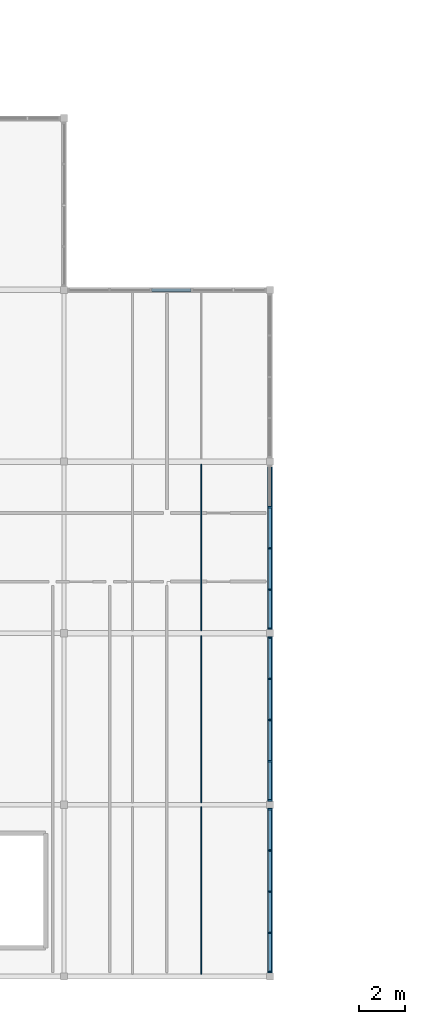
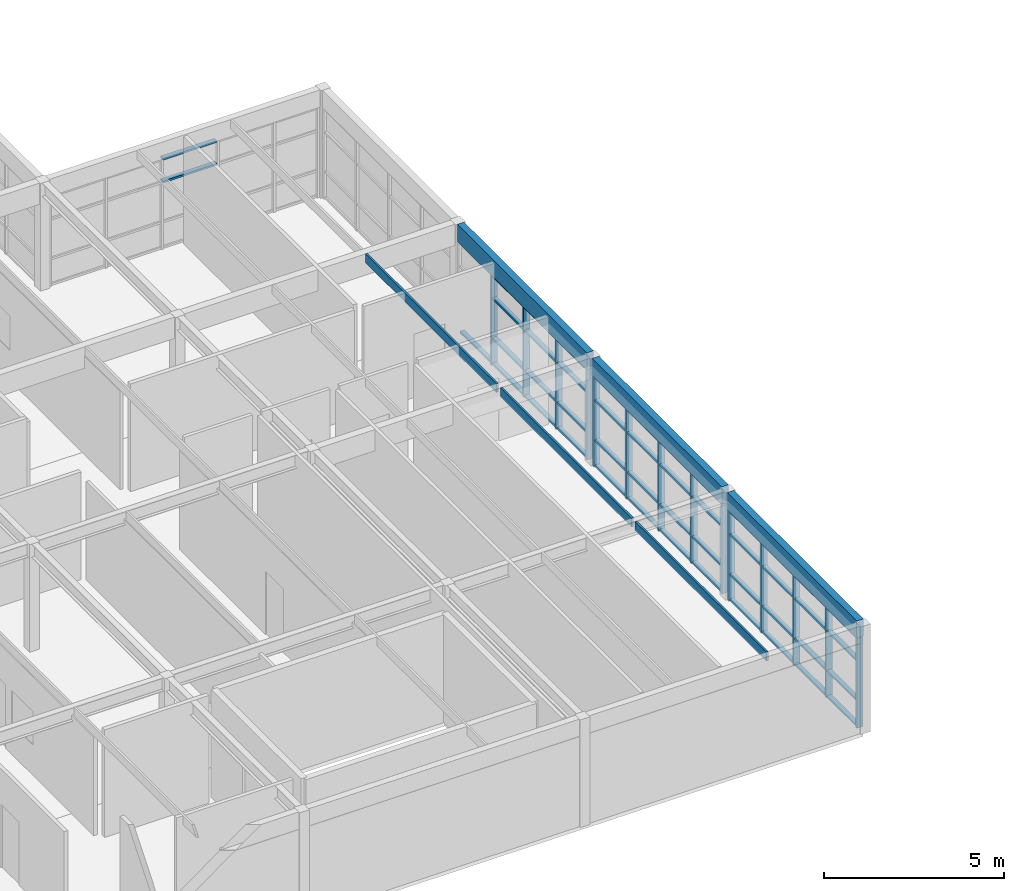
# One storey, part 5 of 24: 61 members, 6 beams, 4 elements without a shape of their own.
"""IFC4 building model written with IfcOpenShell, lengths in metres."""

from ifc_helpers import new_model, si_unit, direction, frame, origin, origin_2d, place, context, subcontext, project, spatial, rectangle, extrude, material, layer, layer_set, material_profile, profile_set, type_object, element, aggregate, save


model = new_model("IFC4")

# Units and contexts
model_context = context("Model", 3, precision=1e-05, world=origin(), true_north=direction((0.0, 1.0)))
body_context = subcontext(model_context, "Body", "Model", "MODEL_VIEW")
ifc_project = project(units=[si_unit("LENGTHUNIT", "METRE"), si_unit("AREAUNIT", "SQUARE_METRE"), si_unit("VOLUMEUNIT", "CUBIC_METRE"), si_unit("PLANEANGLEUNIT", "RADIAN"), si_unit("MASSUNIT", "GRAM", prefix="KILO")], contexts=[model_context])

# Site, building, storey
site_placement = place(None, origin())
site = spatial("IfcSite", under=ifc_project, at=site_placement, CompositionType="ELEMENT")
building_placement = place(site_placement, origin())
building = spatial("IfcBuilding", under=site, at=building_placement, Name="Marnridge Secondary College", CompositionType="ELEMENT")
storey_placement = place(building_placement, frame((0.0, 0.0, 16.10009765625)))
storey = spatial("IfcBuildingStorey", under=building, at=storey_placement, Name="L04", CompositionType="ELEMENT", Elevation=16.10009765625)

# Beams
ifc_material_1 = material(Name="Glulam timber GL18", Category="wood")
ifc_material_profile_1 = material_profile(ifc_material_1, rectangle(XDim=0.215087890625, YDim=0.5849609375, at=origin_2d()), Name="GL18 215x585")
ifc_profile_set_1 = profile_set([ifc_material_profile_1], Name="Glulam timber GL18")
beam_type_1 = type_object("IfcBeamType", Name="BM-GL585-EXT", PredefinedType="SPANDREL", material=ifc_profile_set_1)
for number, where, z_axis, x_axis, name in (
    (1, (36.0, 0.151611328125, 3.357421875), (0.0, 1.0, 0.0), (-1.0, 0.0, 0.0), "Beam BRF-L04-1416"),
    (2, (36.0, 7.651611328125, 3.357421875), (0.0, 1.0, 0.0), (-1.0, 0.0, 0.0), "Beam BRF-L04-1418"),
    (3, (36.0, 15.151611328125, 3.357421875), (0.0, 1.0, 0.0), (-1.0, 0.0, 0.0), "Beam BRF-L04-1420"),
):
    element("IfcBeam", number, at=place(storey_placement, frame(where, z_axis=z_axis, x_axis=x_axis)), inside=storey, type_object=beam_type_1, Name=name, PredefinedType="SPANDREL", context=body_context, shape_type="SweptSolid", body=[
        extrude(rectangle(XDim=0.215087890625, YDim=0.5849609375, at=origin_2d()), origin(), (0.0, 0.0, 1.0), 7.19677734375),
    ])
ifc_material_2 = material(Name="Engineered timber LVL E13.2", Category="wood")
ifc_material_profile_2 = material_profile(ifc_material_2, rectangle(XDim=0.06298828125, YDim=0.300048828125, at=origin_2d()), Name="LVL 63x300")
ifc_profile_set_2 = profile_set([ifc_material_profile_2], Name="Engineered timber LVL E13.2")
beam_type_2 = type_object("IfcBeamType", Name="BM-LVL300-INT", PredefinedType="JOIST", material=ifc_profile_set_2)
beam_1_placement = place(storey_placement, frame((33.0, 0.1015625, 3.5), z_axis=(0.0, 1.0, 0.0), x_axis=(-1.0, 0.0, 0.0)))
element("IfcBeam", 4, at=beam_1_placement, inside=storey, type_object=beam_type_2, Name="Beam BJ-L04-1449", PredefinedType="JOIST", context=body_context, shape_type="SweptSolid", body=[
    extrude(rectangle(XDim=0.06298828125, YDim=0.300048828125, at=origin_2d()), origin(), (0.0, 0.0, 1.0), 7.309326171875),
])
beam_2_placement = place(storey_placement, frame((33.0, 7.589111328125, 3.5), z_axis=(0.0, 1.0, 0.0), x_axis=(-1.0, 0.0, 0.0)))
element("IfcBeam", 5, at=beam_2_placement, inside=storey, type_object=beam_type_2, Name="Beam BJ-L04-1451", PredefinedType="JOIST", context=body_context, shape_type="SweptSolid", body=[
    extrude(rectangle(XDim=0.06298828125, YDim=0.300048828125, at=origin_2d()), origin(), (0.0, 0.0, 1.0), 7.296875),
])
beam_3_placement = place(storey_placement, frame((33.0, 15.114013671875, 3.5), z_axis=(0.0, 1.0, 0.0), x_axis=(-1.0, 0.0, 0.0)))
element("IfcBeam", 6, at=beam_3_placement, inside=storey, type_object=beam_type_2, Name="Beam BJ-L04-1453", PredefinedType="JOIST", context=body_context, shape_type="SweptSolid", body=[
    extrude(rectangle(XDim=0.06298828125, YDim=0.300048828125, at=origin_2d()), origin(), (0.0, 0.0, 1.0), 7.27197265625),
])

# Curtain wall, members
ifc_material_3 = material(Name="Bronze-anodised aluminium and solar-control glazing", Category="aluminium")
ifc_layer = layer(ifc_material_3, 0.199951171875)
ifc_layer_set = layer_set([ifc_layer], Name="CW-MOD-1800")
curtain_wall_type = type_object("IfcCurtainWallType", Name="CW-MOD-1800", PredefinedType="NOTDEFINED", material=ifc_layer_set)
curtain_wall_1_placement = place(storey_placement, origin())
curtain_wall_1 = element("IfcCurtainWall", 7, at=curtain_wall_1_placement, inside=storey, type_object=curtain_wall_type, Name="Unitised curtain wall CW-L04-146", PredefinedType="NOTDEFINED")
ifc_material_4 = material(Name="Bronze-anodised aluminium 6063-T6", Category="aluminium")
ifc_material_profile_3 = material_profile(ifc_material_4, rectangle(XDim=0.070068359375, YDim=0.199951171875, at=origin_2d()), Name="ALU 70x200")
ifc_profile_set_3 = profile_set([ifc_material_profile_3], Name="Bronze-anodised aluminium 6063-T6")
member_type_1 = type_object("IfcMemberType", Name="CWM-ALU200", PredefinedType="MULLION", material=ifc_profile_set_3)
member_1_placement = place(storey_placement, frame((36.0, 20.50341796875, 0.0), z_axis=(0.0, 0.0, 1.0), x_axis=(0.0, -1.0, 0.0)))
member_1 = element("IfcMember", 8, at=member_1_placement, type_object=member_type_1, Name="CW-L04-146 mullion 2", PredefinedType="MULLION", context=body_context, shape_type="SweptSolid", body=[
    extrude(rectangle(XDim=0.070068359375, YDim=0.199951171875, at=origin_2d()), origin(), (0.0, 0.0, 1.0), 3.056884765625),
])
member_2_placement = place(storey_placement, frame((36.0, 18.70361328125, 0.0), z_axis=(0.0, 0.0, 1.0), x_axis=(0.0, -1.0, 0.0)))
member_2 = element("IfcMember", 9, at=member_2_placement, type_object=member_type_1, Name="CW-L04-146 mullion 3", PredefinedType="MULLION", context=body_context, shape_type="SweptSolid", body=[
    extrude(rectangle(XDim=0.070068359375, YDim=0.199951171875, at=origin_2d()), origin(), (0.0, 0.0, 1.0), 3.056884765625),
])
member_3_placement = place(storey_placement, frame((36.0, 16.903564453125, 0.0), z_axis=(0.0, 0.0, 1.0), x_axis=(0.0, -1.0, 0.0)))
member_3 = element("IfcMember", 10, at=member_3_placement, type_object=member_type_1, Name="CW-L04-146 mullion 4", PredefinedType="MULLION", context=body_context, shape_type="SweptSolid", body=[
    extrude(rectangle(XDim=0.070068359375, YDim=0.199951171875, at=origin_2d()), origin(), (0.0, 0.0, 1.0), 3.056884765625),
])
member_4_placement = place(storey_placement, frame((36.0, 15.196533203125, 0.0), z_axis=(0.0, 0.0, 1.0), x_axis=(0.0, -1.0, 0.0)))
member_4 = element("IfcMember", 11, at=member_4_placement, type_object=member_type_1, Name="CW-L04-146 mullion 5", PredefinedType="MULLION", context=body_context, shape_type="SweptSolid", body=[
    extrude(rectangle(XDim=0.070068359375, YDim=0.199951171875, at=origin_2d()), origin(), (0.0, 0.0, 1.0), 3.056884765625),
])

curtain_wall_2_placement = place(storey_placement, origin())
curtain_wall_2 = element("IfcCurtainWall", 12, at=curtain_wall_2_placement, inside=storey, type_object=curtain_wall_type, Name="Unitised curtain wall CW-L04-147", PredefinedType="NOTDEFINED")
member_5_placement = place(storey_placement, frame((36.0, 14.803466796875, 0.0), z_axis=(0.0, 0.0, 1.0), x_axis=(0.0, -1.0, 0.0)))
member_5 = element("IfcMember", 13, at=member_5_placement, type_object=member_type_1, Name="CW-L04-147 mullion 1", PredefinedType="MULLION", context=body_context, shape_type="SweptSolid", body=[
    extrude(rectangle(XDim=0.070068359375, YDim=0.199951171875, at=origin_2d()), origin(), (0.0, 0.0, 1.0), 3.056884765625),
])
member_6_placement = place(storey_placement, frame((36.0, 13.00341796875, 0.0), z_axis=(0.0, 0.0, 1.0), x_axis=(0.0, -1.0, 0.0)))
member_6 = element("IfcMember", 14, at=member_6_placement, type_object=member_type_1, Name="CW-L04-147 mullion 2", PredefinedType="MULLION", context=body_context, shape_type="SweptSolid", body=[
    extrude(rectangle(XDim=0.070068359375, YDim=0.199951171875, at=origin_2d()), origin(), (0.0, 0.0, 1.0), 3.056884765625),
])
member_7_placement = place(storey_placement, frame((36.0, 11.20361328125, 0.0), z_axis=(0.0, 0.0, 1.0), x_axis=(0.0, -1.0, 0.0)))
member_7 = element("IfcMember", 15, at=member_7_placement, type_object=member_type_1, Name="CW-L04-147 mullion 3", PredefinedType="MULLION", context=body_context, shape_type="SweptSolid", body=[
    extrude(rectangle(XDim=0.070068359375, YDim=0.199951171875, at=origin_2d()), origin(), (0.0, 0.0, 1.0), 3.056884765625),
])
member_8_placement = place(storey_placement, frame((36.0, 9.403564453125, 0.0), z_axis=(0.0, 0.0, 1.0), x_axis=(0.0, -1.0, 0.0)))
member_8 = element("IfcMember", 16, at=member_8_placement, type_object=member_type_1, Name="CW-L04-147 mullion 4", PredefinedType="MULLION", context=body_context, shape_type="SweptSolid", body=[
    extrude(rectangle(XDim=0.070068359375, YDim=0.199951171875, at=origin_2d()), origin(), (0.0, 0.0, 1.0), 3.056884765625),
])
member_9_placement = place(storey_placement, frame((36.0, 7.696533203125, 0.0), z_axis=(0.0, 0.0, 1.0), x_axis=(0.0, -1.0, 0.0)))
member_9 = element("IfcMember", 17, at=member_9_placement, type_object=member_type_1, Name="CW-L04-147 mullion 5", PredefinedType="MULLION", context=body_context, shape_type="SweptSolid", body=[
    extrude(rectangle(XDim=0.070068359375, YDim=0.199951171875, at=origin_2d()), origin(), (0.0, 0.0, 1.0), 3.056884765625),
])

curtain_wall_3_placement = place(storey_placement, origin())
curtain_wall_3 = element("IfcCurtainWall", 18, at=curtain_wall_3_placement, inside=storey, type_object=curtain_wall_type, Name="Unitised curtain wall CW-L04-148", PredefinedType="NOTDEFINED")
member_10_placement = place(storey_placement, frame((36.0, 7.303466796875, 0.0), z_axis=(0.0, 0.0, 1.0), x_axis=(0.0, -1.0, 0.0)))
member_10 = element("IfcMember", 19, at=member_10_placement, type_object=member_type_1, Name="CW-L04-148 mullion 1", PredefinedType="MULLION", context=body_context, shape_type="SweptSolid", body=[
    extrude(rectangle(XDim=0.070068359375, YDim=0.199951171875, at=origin_2d()), origin(), (0.0, 0.0, 1.0), 3.056884765625),
])
member_11_placement = place(storey_placement, frame((36.0, 5.50341796875, 0.0), z_axis=(0.0, 0.0, 1.0), x_axis=(0.0, -1.0, 0.0)))
member_11 = element("IfcMember", 20, at=member_11_placement, type_object=member_type_1, Name="CW-L04-148 mullion 2", PredefinedType="MULLION", context=body_context, shape_type="SweptSolid", body=[
    extrude(rectangle(XDim=0.070068359375, YDim=0.199951171875, at=origin_2d()), origin(), (0.0, 0.0, 1.0), 3.056884765625),
])
member_12_placement = place(storey_placement, frame((36.0, 3.70361328125, 0.0), z_axis=(0.0, 0.0, 1.0), x_axis=(0.0, -1.0, 0.0)))
member_12 = element("IfcMember", 21, at=member_12_placement, type_object=member_type_1, Name="CW-L04-148 mullion 3", PredefinedType="MULLION", context=body_context, shape_type="SweptSolid", body=[
    extrude(rectangle(XDim=0.070068359375, YDim=0.199951171875, at=origin_2d()), origin(), (0.0, 0.0, 1.0), 3.056884765625),
])
member_13_placement = place(storey_placement, frame((36.0, 1.903564453125, 0.0), z_axis=(0.0, 0.0, 1.0), x_axis=(0.0, -1.0, 0.0)))
member_13 = element("IfcMember", 22, at=member_13_placement, type_object=member_type_1, Name="CW-L04-148 mullion 4", PredefinedType="MULLION", context=body_context, shape_type="SweptSolid", body=[
    extrude(rectangle(XDim=0.070068359375, YDim=0.199951171875, at=origin_2d()), origin(), (0.0, 0.0, 1.0), 3.056884765625),
])
member_14_placement = place(storey_placement, frame((36.0, 0.196533203125, 0.0), z_axis=(0.0, 0.0, 1.0), x_axis=(0.0, -1.0, 0.0)))
member_14 = element("IfcMember", 23, at=member_14_placement, type_object=member_type_1, Name="CW-L04-148 mullion 5", PredefinedType="MULLION", context=body_context, shape_type="SweptSolid", body=[
    extrude(rectangle(XDim=0.070068359375, YDim=0.199951171875, at=origin_2d()), origin(), (0.0, 0.0, 1.0), 3.056884765625),
])

curtain_wall_4_placement = place(storey_placement, origin())
curtain_wall_4 = element("IfcCurtainWall", 24, at=curtain_wall_4_placement, inside=storey, type_object=curtain_wall_type, Name="Unitised curtain wall CW-L04-144", PredefinedType="NOTDEFINED")
ifc_material_5 = material(Name="Anodised aluminium 6063-T6", Category="aluminium")
ifc_material_profile_4 = material_profile(ifc_material_5, rectangle(XDim=0.06494140625, YDim=0.139892578125, at=origin_2d()), Name="ALU 65x140")
ifc_profile_set_4 = profile_set([ifc_material_profile_4], Name="Anodised aluminium 6063-T6")
member_type_2 = type_object("IfcMemberType", Name="CWT-ALU140", PredefinedType="USERDEFINED", material=ifc_profile_set_4)
member_15_placement = place(storey_placement, frame((30.83154296875, 30.0, 2.25), z_axis=(1.0, 0.0, 0.0), x_axis=(0.0, 0.0, 1.0)))
member_15 = element("IfcMember", 25, at=member_15_placement, type_object=member_type_2, Name="CW-L04-144 transom 3.3", ObjectType="TRANSOM", PredefinedType="USERDEFINED", context=body_context, shape_type="SweptSolid", body=[
    extrude(rectangle(XDim=0.06494140625, YDim=0.139892578125, at=origin_2d()), origin(), (0.0, 0.0, 1.0), 1.72998046875),
])
member_16_placement = place(storey_placement, frame((30.83154296875, 30.0, 3.0244140625), z_axis=(1.0, 0.0, 0.0), x_axis=(0.0, 0.0, 1.0)))
member_16 = element("IfcMember", 26, at=member_16_placement, type_object=member_type_2, Name="CW-L04-144 transom 3.4", ObjectType="TRANSOM", PredefinedType="USERDEFINED", context=body_context, shape_type="SweptSolid", body=[
    extrude(rectangle(XDim=0.06494140625, YDim=0.139892578125, at=origin_2d()), origin(), (0.0, 0.0, 1.0), 1.72998046875),
])
aggregate(curtain_wall_4, [member_15, member_16])

# Member
member_17_placement = place(storey_placement, frame((36.0, 22.2685546875, 0.032470703125), z_axis=(0.0, -1.0, 0.0), x_axis=(0.0, 0.0, 1.0)))
member_17 = element("IfcMember", 27, at=member_17_placement, type_object=member_type_2, Name="CW-L04-146 transom 1.1", ObjectType="TRANSOM", PredefinedType="USERDEFINED", context=body_context, shape_type="SweptSolid", body=[
    extrude(rectangle(XDim=0.06494140625, YDim=0.139892578125, at=origin_2d()), origin(), (0.0, 0.0, 1.0), 1.72998046875),
])

member_18_placement = place(storey_placement, frame((36.0, 20.468505859375, 0.032470703125), z_axis=(0.0, -1.0, 0.0), x_axis=(0.0, 0.0, 1.0)))
member_18 = element("IfcMember", 28, at=member_18_placement, type_object=member_type_2, Name="CW-L04-146 transom 2.1", ObjectType="TRANSOM", PredefinedType="USERDEFINED", context=body_context, shape_type="SweptSolid", body=[
    extrude(rectangle(XDim=0.06494140625, YDim=0.139892578125, at=origin_2d()), origin(), (0.0, 0.0, 1.0), 1.72998046875),
])

member_19_placement = place(storey_placement, frame((36.0, 20.468505859375, 0.89990234375), z_axis=(0.0, -1.0, 0.0), x_axis=(0.0, 0.0, 1.0)))
member_19 = element("IfcMember", 29, at=member_19_placement, type_object=member_type_2, Name="CW-L04-146 transom 2.2", ObjectType="TRANSOM", PredefinedType="USERDEFINED", context=body_context, shape_type="SweptSolid", body=[
    extrude(rectangle(XDim=0.06494140625, YDim=0.139892578125, at=origin_2d()), origin(), (0.0, 0.0, 1.0), 1.72998046875),
])

member_20_placement = place(storey_placement, frame((36.0, 20.468505859375, 2.25), z_axis=(0.0, -1.0, 0.0), x_axis=(0.0, 0.0, 1.0)))
member_20 = element("IfcMember", 30, at=member_20_placement, type_object=member_type_2, Name="CW-L04-146 transom 2.3", ObjectType="TRANSOM", PredefinedType="USERDEFINED", context=body_context, shape_type="SweptSolid", body=[
    extrude(rectangle(XDim=0.06494140625, YDim=0.139892578125, at=origin_2d()), origin(), (0.0, 0.0, 1.0), 1.72998046875),
])

member_21_placement = place(storey_placement, frame((36.0, 20.468505859375, 3.0244140625), z_axis=(0.0, -1.0, 0.0), x_axis=(0.0, 0.0, 1.0)))
member_21 = element("IfcMember", 31, at=member_21_placement, type_object=member_type_2, Name="CW-L04-146 transom 2.4", ObjectType="TRANSOM", PredefinedType="USERDEFINED", context=body_context, shape_type="SweptSolid", body=[
    extrude(rectangle(XDim=0.06494140625, YDim=0.139892578125, at=origin_2d()), origin(), (0.0, 0.0, 1.0), 1.72998046875),
])

member_22_placement = place(storey_placement, frame((36.0, 18.66845703125, 0.032470703125), z_axis=(0.0, -1.0, 0.0), x_axis=(0.0, 0.0, 1.0)))
member_22 = element("IfcMember", 32, at=member_22_placement, type_object=member_type_2, Name="CW-L04-146 transom 3.1", ObjectType="TRANSOM", PredefinedType="USERDEFINED", context=body_context, shape_type="SweptSolid", body=[
    extrude(rectangle(XDim=0.06494140625, YDim=0.139892578125, at=origin_2d()), origin(), (0.0, 0.0, 1.0), 1.72998046875),
])

member_23_placement = place(storey_placement, frame((36.0, 18.66845703125, 0.89990234375), z_axis=(0.0, -1.0, 0.0), x_axis=(0.0, 0.0, 1.0)))
member_23 = element("IfcMember", 33, at=member_23_placement, type_object=member_type_2, Name="CW-L04-146 transom 3.2", ObjectType="TRANSOM", PredefinedType="USERDEFINED", context=body_context, shape_type="SweptSolid", body=[
    extrude(rectangle(XDim=0.06494140625, YDim=0.139892578125, at=origin_2d()), origin(), (0.0, 0.0, 1.0), 1.72998046875),
])

member_24_placement = place(storey_placement, frame((36.0, 18.66845703125, 2.25), z_axis=(0.0, -1.0, 0.0), x_axis=(0.0, 0.0, 1.0)))
member_24 = element("IfcMember", 34, at=member_24_placement, type_object=member_type_2, Name="CW-L04-146 transom 3.3", ObjectType="TRANSOM", PredefinedType="USERDEFINED", context=body_context, shape_type="SweptSolid", body=[
    extrude(rectangle(XDim=0.06494140625, YDim=0.139892578125, at=origin_2d()), origin(), (0.0, 0.0, 1.0), 1.72998046875),
])

member_25_placement = place(storey_placement, frame((36.0, 18.66845703125, 3.0244140625), z_axis=(0.0, -1.0, 0.0), x_axis=(0.0, 0.0, 1.0)))
member_25 = element("IfcMember", 35, at=member_25_placement, type_object=member_type_2, Name="CW-L04-146 transom 3.4", ObjectType="TRANSOM", PredefinedType="USERDEFINED", context=body_context, shape_type="SweptSolid", body=[
    extrude(rectangle(XDim=0.06494140625, YDim=0.139892578125, at=origin_2d()), origin(), (0.0, 0.0, 1.0), 1.72998046875),
])

member_26_placement = place(storey_placement, frame((36.0, 16.868408203125, 0.032470703125), z_axis=(0.0, -1.0, 0.0), x_axis=(0.0, 0.0, 1.0)))
member_26 = element("IfcMember", 36, at=member_26_placement, type_object=member_type_2, Name="CW-L04-146 transom 4.1", ObjectType="TRANSOM", PredefinedType="USERDEFINED", context=body_context, shape_type="SweptSolid", body=[
    extrude(rectangle(XDim=0.06494140625, YDim=0.139892578125, at=origin_2d()), origin(), (0.0, 0.0, 1.0), 1.636962890625),
])

member_27_placement = place(storey_placement, frame((36.0, 16.868408203125, 0.89990234375), z_axis=(0.0, -1.0, 0.0), x_axis=(0.0, 0.0, 1.0)))
member_27 = element("IfcMember", 37, at=member_27_placement, type_object=member_type_2, Name="CW-L04-146 transom 4.2", ObjectType="TRANSOM", PredefinedType="USERDEFINED", context=body_context, shape_type="SweptSolid", body=[
    extrude(rectangle(XDim=0.06494140625, YDim=0.139892578125, at=origin_2d()), origin(), (0.0, 0.0, 1.0), 1.636962890625),
])

member_28_placement = place(storey_placement, frame((36.0, 16.868408203125, 2.25), z_axis=(0.0, -1.0, 0.0), x_axis=(0.0, 0.0, 1.0)))
member_28 = element("IfcMember", 38, at=member_28_placement, type_object=member_type_2, Name="CW-L04-146 transom 4.3", ObjectType="TRANSOM", PredefinedType="USERDEFINED", context=body_context, shape_type="SweptSolid", body=[
    extrude(rectangle(XDim=0.06494140625, YDim=0.139892578125, at=origin_2d()), origin(), (0.0, 0.0, 1.0), 1.636962890625),
])

member_29_placement = place(storey_placement, frame((36.0, 16.868408203125, 3.0244140625), z_axis=(0.0, -1.0, 0.0), x_axis=(0.0, 0.0, 1.0)))
member_29 = element("IfcMember", 39, at=member_29_placement, type_object=member_type_2, Name="CW-L04-146 transom 4.4", ObjectType="TRANSOM", PredefinedType="USERDEFINED", context=body_context, shape_type="SweptSolid", body=[
    extrude(rectangle(XDim=0.06494140625, YDim=0.139892578125, at=origin_2d()), origin(), (0.0, 0.0, 1.0), 1.636962890625),
])

aggregate(curtain_wall_1, [member_1, member_2, member_3, member_4, member_17, member_18, member_19, member_20, member_21, member_22, member_23, member_24, member_25, member_26, member_27, member_28, member_29])

member_30_placement = place(storey_placement, frame((36.0, 14.7685546875, 0.032470703125), z_axis=(0.0, -1.0, 0.0), x_axis=(0.0, 0.0, 1.0)))
member_30 = element("IfcMember", 40, at=member_30_placement, type_object=member_type_2, Name="CW-L04-147 transom 1.1", ObjectType="TRANSOM", PredefinedType="USERDEFINED", context=body_context, shape_type="SweptSolid", body=[
    extrude(rectangle(XDim=0.06494140625, YDim=0.139892578125, at=origin_2d()), origin(), (0.0, 0.0, 1.0), 1.72998046875),
])

member_31_placement = place(storey_placement, frame((36.0, 14.7685546875, 0.89990234375), z_axis=(0.0, -1.0, 0.0), x_axis=(0.0, 0.0, 1.0)))
member_31 = element("IfcMember", 41, at=member_31_placement, type_object=member_type_2, Name="CW-L04-147 transom 1.2", ObjectType="TRANSOM", PredefinedType="USERDEFINED", context=body_context, shape_type="SweptSolid", body=[
    extrude(rectangle(XDim=0.06494140625, YDim=0.139892578125, at=origin_2d()), origin(), (0.0, 0.0, 1.0), 1.72998046875),
])

member_32_placement = place(storey_placement, frame((36.0, 14.7685546875, 2.25), z_axis=(0.0, -1.0, 0.0), x_axis=(0.0, 0.0, 1.0)))
member_32 = element("IfcMember", 42, at=member_32_placement, type_object=member_type_2, Name="CW-L04-147 transom 1.3", ObjectType="TRANSOM", PredefinedType="USERDEFINED", context=body_context, shape_type="SweptSolid", body=[
    extrude(rectangle(XDim=0.06494140625, YDim=0.139892578125, at=origin_2d()), origin(), (0.0, 0.0, 1.0), 1.72998046875),
])

member_33_placement = place(storey_placement, frame((36.0, 14.7685546875, 3.0244140625), z_axis=(0.0, -1.0, 0.0), x_axis=(0.0, 0.0, 1.0)))
member_33 = element("IfcMember", 43, at=member_33_placement, type_object=member_type_2, Name="CW-L04-147 transom 1.4", ObjectType="TRANSOM", PredefinedType="USERDEFINED", context=body_context, shape_type="SweptSolid", body=[
    extrude(rectangle(XDim=0.06494140625, YDim=0.139892578125, at=origin_2d()), origin(), (0.0, 0.0, 1.0), 1.72998046875),
])

member_34_placement = place(storey_placement, frame((36.0, 12.968505859375, 0.032470703125), z_axis=(0.0, -1.0, 0.0), x_axis=(0.0, 0.0, 1.0)))
member_34 = element("IfcMember", 44, at=member_34_placement, type_object=member_type_2, Name="CW-L04-147 transom 2.1", ObjectType="TRANSOM", PredefinedType="USERDEFINED", context=body_context, shape_type="SweptSolid", body=[
    extrude(rectangle(XDim=0.06494140625, YDim=0.139892578125, at=origin_2d()), origin(), (0.0, 0.0, 1.0), 1.72998046875),
])

member_35_placement = place(storey_placement, frame((36.0, 12.968505859375, 0.89990234375), z_axis=(0.0, -1.0, 0.0), x_axis=(0.0, 0.0, 1.0)))
member_35 = element("IfcMember", 45, at=member_35_placement, type_object=member_type_2, Name="CW-L04-147 transom 2.2", ObjectType="TRANSOM", PredefinedType="USERDEFINED", context=body_context, shape_type="SweptSolid", body=[
    extrude(rectangle(XDim=0.06494140625, YDim=0.139892578125, at=origin_2d()), origin(), (0.0, 0.0, 1.0), 1.72998046875),
])

member_36_placement = place(storey_placement, frame((36.0, 12.968505859375, 2.25), z_axis=(0.0, -1.0, 0.0), x_axis=(0.0, 0.0, 1.0)))
member_36 = element("IfcMember", 46, at=member_36_placement, type_object=member_type_2, Name="CW-L04-147 transom 2.3", ObjectType="TRANSOM", PredefinedType="USERDEFINED", context=body_context, shape_type="SweptSolid", body=[
    extrude(rectangle(XDim=0.06494140625, YDim=0.139892578125, at=origin_2d()), origin(), (0.0, 0.0, 1.0), 1.72998046875),
])

member_37_placement = place(storey_placement, frame((36.0, 12.968505859375, 3.0244140625), z_axis=(0.0, -1.0, 0.0), x_axis=(0.0, 0.0, 1.0)))
member_37 = element("IfcMember", 47, at=member_37_placement, type_object=member_type_2, Name="CW-L04-147 transom 2.4", ObjectType="TRANSOM", PredefinedType="USERDEFINED", context=body_context, shape_type="SweptSolid", body=[
    extrude(rectangle(XDim=0.06494140625, YDim=0.139892578125, at=origin_2d()), origin(), (0.0, 0.0, 1.0), 1.72998046875),
])

member_38_placement = place(storey_placement, frame((36.0, 11.16845703125, 0.032470703125), z_axis=(0.0, -1.0, 0.0), x_axis=(0.0, 0.0, 1.0)))
member_38 = element("IfcMember", 48, at=member_38_placement, type_object=member_type_2, Name="CW-L04-147 transom 3.1", ObjectType="TRANSOM", PredefinedType="USERDEFINED", context=body_context, shape_type="SweptSolid", body=[
    extrude(rectangle(XDim=0.06494140625, YDim=0.139892578125, at=origin_2d()), origin(), (0.0, 0.0, 1.0), 1.72998046875),
])

member_39_placement = place(storey_placement, frame((36.0, 11.16845703125, 0.89990234375), z_axis=(0.0, -1.0, 0.0), x_axis=(0.0, 0.0, 1.0)))
member_39 = element("IfcMember", 49, at=member_39_placement, type_object=member_type_2, Name="CW-L04-147 transom 3.2", ObjectType="TRANSOM", PredefinedType="USERDEFINED", context=body_context, shape_type="SweptSolid", body=[
    extrude(rectangle(XDim=0.06494140625, YDim=0.139892578125, at=origin_2d()), origin(), (0.0, 0.0, 1.0), 1.72998046875),
])

member_40_placement = place(storey_placement, frame((36.0, 11.16845703125, 2.25), z_axis=(0.0, -1.0, 0.0), x_axis=(0.0, 0.0, 1.0)))
member_40 = element("IfcMember", 50, at=member_40_placement, type_object=member_type_2, Name="CW-L04-147 transom 3.3", ObjectType="TRANSOM", PredefinedType="USERDEFINED", context=body_context, shape_type="SweptSolid", body=[
    extrude(rectangle(XDim=0.06494140625, YDim=0.139892578125, at=origin_2d()), origin(), (0.0, 0.0, 1.0), 1.72998046875),
])

member_41_placement = place(storey_placement, frame((36.0, 11.16845703125, 3.0244140625), z_axis=(0.0, -1.0, 0.0), x_axis=(0.0, 0.0, 1.0)))
member_41 = element("IfcMember", 51, at=member_41_placement, type_object=member_type_2, Name="CW-L04-147 transom 3.4", ObjectType="TRANSOM", PredefinedType="USERDEFINED", context=body_context, shape_type="SweptSolid", body=[
    extrude(rectangle(XDim=0.06494140625, YDim=0.139892578125, at=origin_2d()), origin(), (0.0, 0.0, 1.0), 1.72998046875),
])

member_42_placement = place(storey_placement, frame((36.0, 9.368408203125, 0.032470703125), z_axis=(0.0, -1.0, 0.0), x_axis=(0.0, 0.0, 1.0)))
member_42 = element("IfcMember", 52, at=member_42_placement, type_object=member_type_2, Name="CW-L04-147 transom 4.1", ObjectType="TRANSOM", PredefinedType="USERDEFINED", context=body_context, shape_type="SweptSolid", body=[
    extrude(rectangle(XDim=0.06494140625, YDim=0.139892578125, at=origin_2d()), origin(), (0.0, 0.0, 1.0), 1.636962890625),
])

member_43_placement = place(storey_placement, frame((36.0, 9.368408203125, 0.89990234375), z_axis=(0.0, -1.0, 0.0), x_axis=(0.0, 0.0, 1.0)))
member_43 = element("IfcMember", 53, at=member_43_placement, type_object=member_type_2, Name="CW-L04-147 transom 4.2", ObjectType="TRANSOM", PredefinedType="USERDEFINED", context=body_context, shape_type="SweptSolid", body=[
    extrude(rectangle(XDim=0.06494140625, YDim=0.139892578125, at=origin_2d()), origin(), (0.0, 0.0, 1.0), 1.636962890625),
])

member_44_placement = place(storey_placement, frame((36.0, 9.368408203125, 2.25), z_axis=(0.0, -1.0, 0.0), x_axis=(0.0, 0.0, 1.0)))
member_44 = element("IfcMember", 54, at=member_44_placement, type_object=member_type_2, Name="CW-L04-147 transom 4.3", ObjectType="TRANSOM", PredefinedType="USERDEFINED", context=body_context, shape_type="SweptSolid", body=[
    extrude(rectangle(XDim=0.06494140625, YDim=0.139892578125, at=origin_2d()), origin(), (0.0, 0.0, 1.0), 1.636962890625),
])

member_45_placement = place(storey_placement, frame((36.0, 9.368408203125, 3.0244140625), z_axis=(0.0, -1.0, 0.0), x_axis=(0.0, 0.0, 1.0)))
member_45 = element("IfcMember", 55, at=member_45_placement, type_object=member_type_2, Name="CW-L04-147 transom 4.4", ObjectType="TRANSOM", PredefinedType="USERDEFINED", context=body_context, shape_type="SweptSolid", body=[
    extrude(rectangle(XDim=0.06494140625, YDim=0.139892578125, at=origin_2d()), origin(), (0.0, 0.0, 1.0), 1.636962890625),
])

aggregate(curtain_wall_2, [member_5, member_6, member_7, member_8, member_9, member_30, member_31, member_32, member_33, member_34, member_35, member_36, member_37, member_38, member_39, member_40, member_41, member_42, member_43, member_44, member_45])

member_46_placement = place(storey_placement, frame((36.0, 7.2685546875, 0.032470703125), z_axis=(0.0, -1.0, 0.0), x_axis=(0.0, 0.0, 1.0)))
member_46 = element("IfcMember", 56, at=member_46_placement, type_object=member_type_2, Name="CW-L04-148 transom 1.1", ObjectType="TRANSOM", PredefinedType="USERDEFINED", context=body_context, shape_type="SweptSolid", body=[
    extrude(rectangle(XDim=0.06494140625, YDim=0.139892578125, at=origin_2d()), origin(), (0.0, 0.0, 1.0), 1.72998046875),
])

member_47_placement = place(storey_placement, frame((36.0, 7.2685546875, 0.89990234375), z_axis=(0.0, -1.0, 0.0), x_axis=(0.0, 0.0, 1.0)))
member_47 = element("IfcMember", 57, at=member_47_placement, type_object=member_type_2, Name="CW-L04-148 transom 1.2", ObjectType="TRANSOM", PredefinedType="USERDEFINED", context=body_context, shape_type="SweptSolid", body=[
    extrude(rectangle(XDim=0.06494140625, YDim=0.139892578125, at=origin_2d()), origin(), (0.0, 0.0, 1.0), 1.72998046875),
])

member_48_placement = place(storey_placement, frame((36.0, 7.2685546875, 2.25), z_axis=(0.0, -1.0, 0.0), x_axis=(0.0, 0.0, 1.0)))
member_48 = element("IfcMember", 58, at=member_48_placement, type_object=member_type_2, Name="CW-L04-148 transom 1.3", ObjectType="TRANSOM", PredefinedType="USERDEFINED", context=body_context, shape_type="SweptSolid", body=[
    extrude(rectangle(XDim=0.06494140625, YDim=0.139892578125, at=origin_2d()), origin(), (0.0, 0.0, 1.0), 1.72998046875),
])

member_49_placement = place(storey_placement, frame((36.0, 7.2685546875, 3.0244140625), z_axis=(0.0, -1.0, 0.0), x_axis=(0.0, 0.0, 1.0)))
member_49 = element("IfcMember", 59, at=member_49_placement, type_object=member_type_2, Name="CW-L04-148 transom 1.4", ObjectType="TRANSOM", PredefinedType="USERDEFINED", context=body_context, shape_type="SweptSolid", body=[
    extrude(rectangle(XDim=0.06494140625, YDim=0.139892578125, at=origin_2d()), origin(), (0.0, 0.0, 1.0), 1.72998046875),
])

member_50_placement = place(storey_placement, frame((36.0, 5.468505859375, 0.032470703125), z_axis=(0.0, -1.0, 0.0), x_axis=(0.0, 0.0, 1.0)))
member_50 = element("IfcMember", 60, at=member_50_placement, type_object=member_type_2, Name="CW-L04-148 transom 2.1", ObjectType="TRANSOM", PredefinedType="USERDEFINED", context=body_context, shape_type="SweptSolid", body=[
    extrude(rectangle(XDim=0.06494140625, YDim=0.139892578125, at=origin_2d()), origin(), (0.0, 0.0, 1.0), 1.72998046875),
])

member_51_placement = place(storey_placement, frame((36.0, 5.468505859375, 0.89990234375), z_axis=(0.0, -1.0, 0.0), x_axis=(0.0, 0.0, 1.0)))
member_51 = element("IfcMember", 61, at=member_51_placement, type_object=member_type_2, Name="CW-L04-148 transom 2.2", ObjectType="TRANSOM", PredefinedType="USERDEFINED", context=body_context, shape_type="SweptSolid", body=[
    extrude(rectangle(XDim=0.06494140625, YDim=0.139892578125, at=origin_2d()), origin(), (0.0, 0.0, 1.0), 1.72998046875),
])

member_52_placement = place(storey_placement, frame((36.0, 5.468505859375, 2.25), z_axis=(0.0, -1.0, 0.0), x_axis=(0.0, 0.0, 1.0)))
member_52 = element("IfcMember", 62, at=member_52_placement, type_object=member_type_2, Name="CW-L04-148 transom 2.3", ObjectType="TRANSOM", PredefinedType="USERDEFINED", context=body_context, shape_type="SweptSolid", body=[
    extrude(rectangle(XDim=0.06494140625, YDim=0.139892578125, at=origin_2d()), origin(), (0.0, 0.0, 1.0), 1.72998046875),
])

member_53_placement = place(storey_placement, frame((36.0, 5.468505859375, 3.0244140625), z_axis=(0.0, -1.0, 0.0), x_axis=(0.0, 0.0, 1.0)))
member_53 = element("IfcMember", 63, at=member_53_placement, type_object=member_type_2, Name="CW-L04-148 transom 2.4", ObjectType="TRANSOM", PredefinedType="USERDEFINED", context=body_context, shape_type="SweptSolid", body=[
    extrude(rectangle(XDim=0.06494140625, YDim=0.139892578125, at=origin_2d()), origin(), (0.0, 0.0, 1.0), 1.72998046875),
])

member_54_placement = place(storey_placement, frame((36.0, 3.66845703125, 0.032470703125), z_axis=(0.0, -1.0, 0.0), x_axis=(0.0, 0.0, 1.0)))
member_54 = element("IfcMember", 64, at=member_54_placement, type_object=member_type_2, Name="CW-L04-148 transom 3.1", ObjectType="TRANSOM", PredefinedType="USERDEFINED", context=body_context, shape_type="SweptSolid", body=[
    extrude(rectangle(XDim=0.06494140625, YDim=0.139892578125, at=origin_2d()), origin(), (0.0, 0.0, 1.0), 1.72998046875),
])

member_55_placement = place(storey_placement, frame((36.0, 3.66845703125, 0.89990234375), z_axis=(0.0, -1.0, 0.0), x_axis=(0.0, 0.0, 1.0)))
member_55 = element("IfcMember", 65, at=member_55_placement, type_object=member_type_2, Name="CW-L04-148 transom 3.2", ObjectType="TRANSOM", PredefinedType="USERDEFINED", context=body_context, shape_type="SweptSolid", body=[
    extrude(rectangle(XDim=0.06494140625, YDim=0.139892578125, at=origin_2d()), origin(), (0.0, 0.0, 1.0), 1.72998046875),
])

member_56_placement = place(storey_placement, frame((36.0, 3.66845703125, 2.25), z_axis=(0.0, -1.0, 0.0), x_axis=(0.0, 0.0, 1.0)))
member_56 = element("IfcMember", 66, at=member_56_placement, type_object=member_type_2, Name="CW-L04-148 transom 3.3", ObjectType="TRANSOM", PredefinedType="USERDEFINED", context=body_context, shape_type="SweptSolid", body=[
    extrude(rectangle(XDim=0.06494140625, YDim=0.139892578125, at=origin_2d()), origin(), (0.0, 0.0, 1.0), 1.72998046875),
])

member_57_placement = place(storey_placement, frame((36.0, 3.66845703125, 3.0244140625), z_axis=(0.0, -1.0, 0.0), x_axis=(0.0, 0.0, 1.0)))
member_57 = element("IfcMember", 67, at=member_57_placement, type_object=member_type_2, Name="CW-L04-148 transom 3.4", ObjectType="TRANSOM", PredefinedType="USERDEFINED", context=body_context, shape_type="SweptSolid", body=[
    extrude(rectangle(XDim=0.06494140625, YDim=0.139892578125, at=origin_2d()), origin(), (0.0, 0.0, 1.0), 1.72998046875),
])

member_58_placement = place(storey_placement, frame((36.0, 1.868408203125, 0.032470703125), z_axis=(0.0, -1.0, 0.0), x_axis=(0.0, 0.0, 1.0)))
member_58 = element("IfcMember", 68, at=member_58_placement, type_object=member_type_2, Name="CW-L04-148 transom 4.1", ObjectType="TRANSOM", PredefinedType="USERDEFINED", context=body_context, shape_type="SweptSolid", body=[
    extrude(rectangle(XDim=0.06494140625, YDim=0.139892578125, at=origin_2d()), origin(), (0.0, 0.0, 1.0), 1.636962890625),
])

member_59_placement = place(storey_placement, frame((36.0, 1.868408203125, 0.89990234375), z_axis=(0.0, -1.0, 0.0), x_axis=(0.0, 0.0, 1.0)))
member_59 = element("IfcMember", 69, at=member_59_placement, type_object=member_type_2, Name="CW-L04-148 transom 4.2", ObjectType="TRANSOM", PredefinedType="USERDEFINED", context=body_context, shape_type="SweptSolid", body=[
    extrude(rectangle(XDim=0.06494140625, YDim=0.139892578125, at=origin_2d()), origin(), (0.0, 0.0, 1.0), 1.636962890625),
])

member_60_placement = place(storey_placement, frame((36.0, 1.868408203125, 2.25), z_axis=(0.0, -1.0, 0.0), x_axis=(0.0, 0.0, 1.0)))
member_60 = element("IfcMember", 70, at=member_60_placement, type_object=member_type_2, Name="CW-L04-148 transom 4.3", ObjectType="TRANSOM", PredefinedType="USERDEFINED", context=body_context, shape_type="SweptSolid", body=[
    extrude(rectangle(XDim=0.06494140625, YDim=0.139892578125, at=origin_2d()), origin(), (0.0, 0.0, 1.0), 1.636962890625),
])

member_61_placement = place(storey_placement, frame((36.0, 1.868408203125, 3.0244140625), z_axis=(0.0, -1.0, 0.0), x_axis=(0.0, 0.0, 1.0)))
member_61 = element("IfcMember", 71, at=member_61_placement, type_object=member_type_2, Name="CW-L04-148 transom 4.4", ObjectType="TRANSOM", PredefinedType="USERDEFINED", context=body_context, shape_type="SweptSolid", body=[
    extrude(rectangle(XDim=0.06494140625, YDim=0.139892578125, at=origin_2d()), origin(), (0.0, 0.0, 1.0), 1.636962890625),
])

aggregate(curtain_wall_3, [member_10, member_11, member_12, member_13, member_14, member_46, member_47, member_48, member_49, member_50, member_51, member_52, member_53, member_54, member_55, member_56, member_57, member_58, member_59, member_60, member_61])

save(model, "model.ifc")
